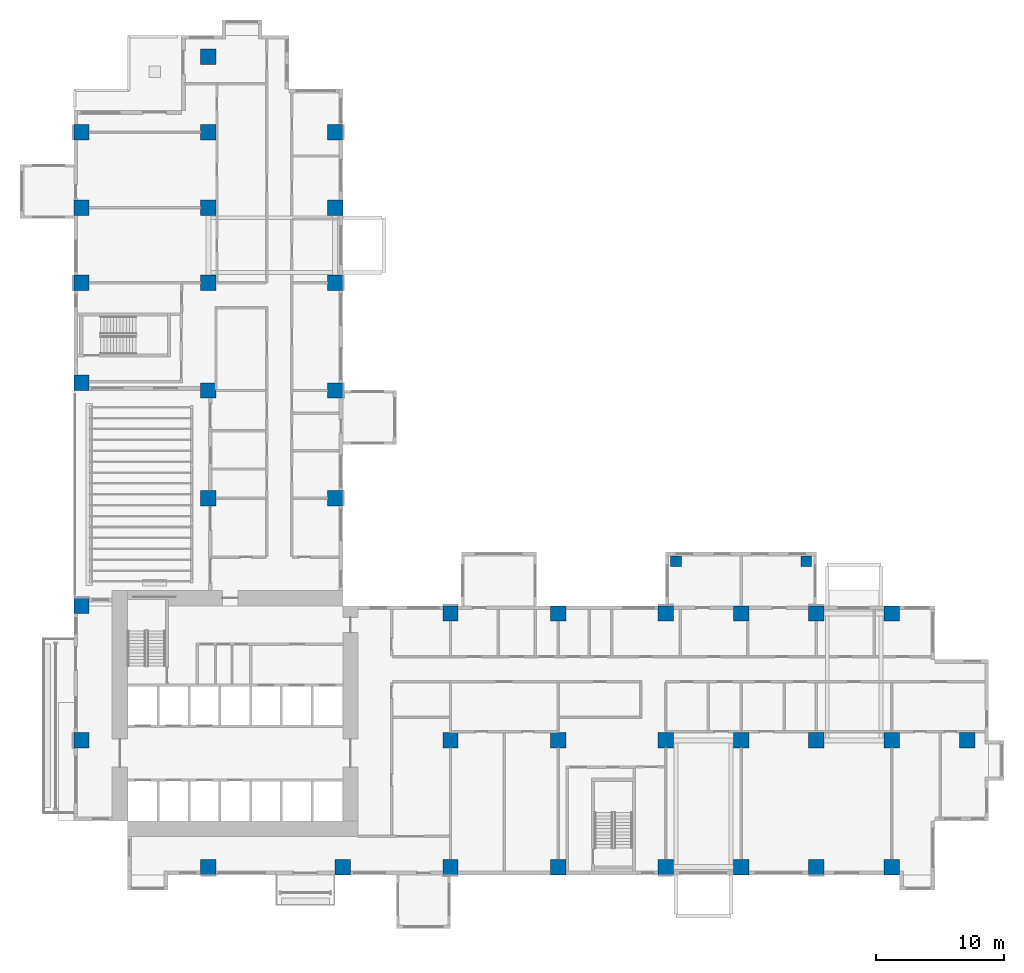
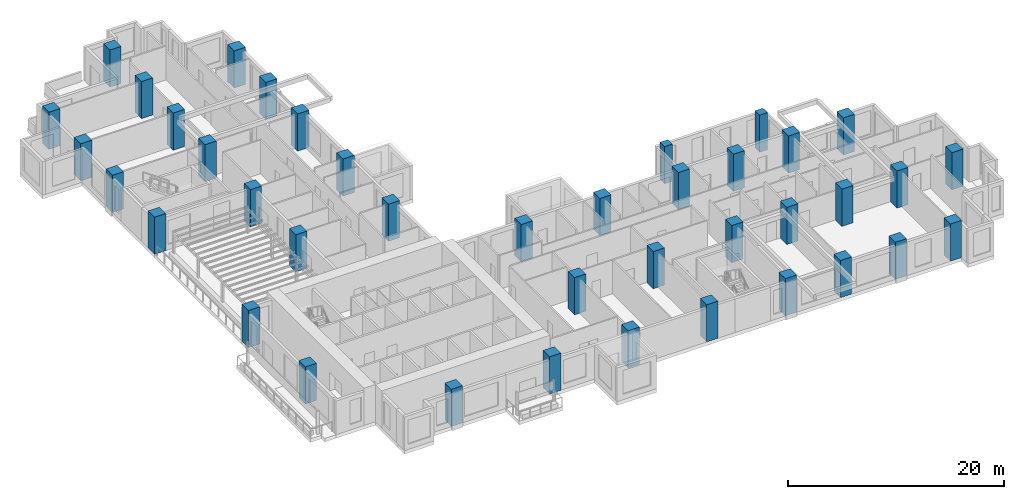
# One storey, part 1 of 17: 40 columns.
"""IFC4 building model written with IfcOpenShell, lengths in metres."""

from ifc_helpers import new_model, si_unit, direction, frame, origin, origin_2d, place, context, subcontext, project, spatial, rectangle, extrude, source, transform, mapped, material, material_profile, profile_set, type_object, element, save


model = new_model("IFC4")

# Units and contexts
model_context = context("Model", 3, precision=1e-05, world=origin(), true_north=direction((0.0, 1.0)))
body_context = subcontext(model_context, "Body", "Model", "MODEL_VIEW")
ifc_project = project(units=[si_unit("LENGTHUNIT", "METRE"), si_unit("AREAUNIT", "SQUARE_METRE"), si_unit("VOLUMEUNIT", "CUBIC_METRE"), si_unit("PLANEANGLEUNIT", "RADIAN"), si_unit("MASSUNIT", "GRAM", prefix="KILO")], contexts=[model_context])

# Site, building, storey
site_placement = place(None, origin())
site = spatial("IfcSite", under=ifc_project, at=site_placement, CompositionType="ELEMENT")
building_placement = place(site_placement, origin())
building = spatial("IfcBuilding", under=site, at=building_placement, Name="Aurelian Terraces", CompositionType="ELEMENT")
storey_placement = place(building_placement, frame((0.0, 0.0, 69.9)))
storey = spatial("IfcBuildingStorey", under=building, at=storey_placement, Name="L14", CompositionType="ELEMENT", Elevation=69.9)

# Columns
ifc_material_1 = material(Name="Concrete fc' 83 MPa", Category="concrete")
ifc_material_profile_1 = material_profile(ifc_material_1, rectangle(XDim=1.2, YDim=1.2, at=origin_2d()))
ifc_profile_set_1 = profile_set([ifc_material_profile_1], Name="Concrete fc' 83 MPa")
column_type_1 = type_object("IfcColumnType", Name="RC COLUMN 1200X1200 FC83", PredefinedType="COLUMN", material=ifc_profile_set_1)
shared_shape_1 = source(origin(), body_context, "Body", "SweptSolid", [
    extrude(rectangle(XDim=1.2, YDim=1.2, at=origin_2d()), origin(), (0.0, 0.0, 1.0), 4.2),
])
for number, where, z_axis, x_axis, name in (
    (1, (10.5, 0.6, 0.0), (0.0, 0.0, 1.0), (1.0, 0.0, 0.0), "Column 2/A L14"),
    (2, (21.0, 0.6, 0.0), (0.0, 0.0, 1.0), (1.0, 0.0, 0.0), "Column 3/A L14"),
    (3, (29.4, 0.6, 0.0), (0.0, 0.0, 1.0), (1.0, 0.0, 0.0), "Column 4/A L14"),
    (4, (37.8, 0.6, 0.0), (0.0, 0.0, 1.0), (1.0, 0.0, 0.0), "Column 5/A L14"),
    (5, (46.2, 0.6, 0.0), (0.0, 0.0, 1.0), (1.0, 0.0, 0.0), "Column 6/A L14"),
    (6, (52.08, 0.6, 0.0), (0.0, 0.0, 1.0), (1.0, 0.0, 0.0), "Column 7/A L14"),
    (7, (57.96, 0.6, 0.0), (0.0, 0.0, 1.0), (1.0, 0.0, 0.0), "Column 8/A L14"),
    (8, (63.84, 0.6, 0.0), (0.0, 0.0, 1.0), (1.0, 0.0, 0.0), "Column 9/A L14"),
    (9, (0.6, 10.5, 0.0), (0.0, 0.0, 1.0), (1.0, 0.0, 0.0), "Column 1/B L14"),
    (10, (29.4, 10.5, 0.0), (0.0, 0.0, 1.0), (1.0, 0.0, 0.0), "Column 4/B L14"),
    (11, (37.8, 10.5, 0.0), (0.0, 0.0, 1.0), (1.0, 0.0, 0.0), "Column 5/B L14"),
    (12, (46.2, 10.5, 0.0), (0.0, 0.0, 1.0), (1.0, 0.0, 0.0), "Column 6/B L14"),
    (13, (52.08, 10.5, 0.0), (0.0, 0.0, 1.0), (1.0, 0.0, 0.0), "Column 7/B L14"),
    (14, (57.96, 10.5, 0.0), (0.0, 0.0, 1.0), (1.0, 0.0, 0.0), "Column 8/B L14"),
    (15, (63.84, 10.5, 0.0), (0.0, 0.0, 1.0), (1.0, 0.0, 0.0), "Column 9/B L14"),
    (16, (69.72, 10.5, 0.0), (0.0, 0.0, 1.0), (1.0, 0.0, 0.0), "Column 10/B L14"),
    (17, (0.6, 21.0, 0.0), (0.0, 0.0, 1.0), (1.0, 0.0, 0.0), "Column 1/C L14"),
    (18, (29.4, 20.4, 0.0), (0.0, 0.0, 1.0), (1.0, 0.0, 0.0), "Column 4/C L14"),
    (19, (37.8, 20.4, 0.0), (0.0, 0.0, 1.0), (1.0, 0.0, 0.0), "Column 5/C L14"),
    (20, (46.2, 20.4, 0.0), (0.0, 0.0, 1.0), (1.0, 0.0, 0.0), "Column 6/C L14"),
    (21, (52.08, 20.4, 0.0), (0.0, 0.0, 1.0), (1.0, 0.0, 0.0), "Column 7/C L14"),
    (22, (57.96, 20.4, 0.0), (0.0, 0.0, 1.0), (1.0, 0.0, 0.0), "Column 8/C L14"),
    (23, (63.84, 20.4, 0.0), (0.0, 0.0, 1.0), (1.0, 0.0, 0.0), "Column 9/C L14"),
    (24, (10.5, 29.4, 0.0), (0.0, 0.0, 1.0), (1.0, 0.0, 0.0), "Column 2/D L14"),
    (25, (20.4, 29.4, 0.0), (0.0, 0.0, 1.0), (1.0, 0.0, 0.0), "Column 3/D L14"),
    (26, (0.6, 38.4, 0.0), (0.0, 0.0, 1.0), (1.0, 0.0, 0.0), "Column 1/E L14"),
    (27, (10.5, 37.8, 0.0), (0.0, 0.0, 1.0), (1.0, 0.0, 0.0), "Column 2/E L14"),
    (28, (20.4, 37.8, 0.0), (0.0, 0.0, 1.0), (1.0, 0.0, 0.0), "Column 3/E L14"),
    (29, (0.6, 46.2, 0.0), (0.0, 0.0, 1.0), (1.0, 0.0, 0.0), "Column 1/F L14"),
    (30, (10.5, 46.2, 0.0), (0.0, 0.0, 1.0), (1.0, 0.0, 0.0), "Column 2/F L14"),
    (31, (20.4, 46.2, 0.0), (0.0, 0.0, 1.0), (1.0, 0.0, 0.0), "Column 3/F L14"),
    (32, (0.6, 52.08, 0.0), (0.0, 0.0, 1.0), (1.0, 0.0, 0.0), "Column 1/G L14"),
    (33, (10.5, 52.08, 0.0), (0.0, 0.0, 1.0), (1.0, 0.0, 0.0), "Column 2/G L14"),
    (34, (20.4, 52.08, 0.0), (0.0, 0.0, 1.0), (1.0, 0.0, 0.0), "Column 3/G L14"),
    (35, (0.6, 57.96, 0.0), (0.0, 0.0, 1.0), (1.0, 0.0, 0.0), "Column 1/H L14"),
    (36, (10.5, 57.96, 0.0), (0.0, 0.0, 1.0), (1.0, 0.0, 0.0), "Column 2/H L14"),
    (37, (20.4, 57.96, 0.0), (0.0, 0.0, 1.0), (1.0, 0.0, 0.0), "Column 3/H L14"),
    (38, (10.5, 63.84, 0.0), (0.0, 0.0, 1.0), (1.0, 0.0, 0.0), "Column 2/I L14"),
):
    element("IfcColumn", number, at=place(storey_placement, frame(where, z_axis=z_axis, x_axis=x_axis)), inside=storey, type_object=column_type_1, Name=name, PredefinedType="COLUMN", context=body_context, shape_type="MappedRepresentation", body=[
        mapped(shared_shape_1, transform((0.0, 0.0, 0.0), scale=1.0)),
    ])
ifc_material_2 = material(Name="Concrete fc' 55 MPa", Category="concrete")
ifc_material_profile_2 = material_profile(ifc_material_2, rectangle(XDim=0.84, YDim=0.84, at=origin_2d()))
ifc_profile_set_2 = profile_set([ifc_material_profile_2], Name="Concrete fc' 55 MPa")
column_type_2 = type_object("IfcColumnType", Name="BLOCK CORNER PIER 840X840", PredefinedType="COLUMN", material=ifc_profile_set_2)
shared_shape_2 = source(origin(), body_context, "Body", "SweptSolid", [
    extrude(rectangle(XDim=0.84, YDim=0.84, at=origin_2d()), origin(), (0.0, 0.0, 1.0), 4.2),
])
for number, where, z_axis, x_axis, name in (
    (39, (47.0, 24.48, 0.0), (0.0, 0.0, 1.0), (1.0, 0.0, 0.0), "Block pier K01.1 L14"),
    (40, (57.16, 24.48, 0.0), (0.0, 0.0, 1.0), (1.0, 0.0, 0.0), "Block pier K01.2 L14"),
):
    element("IfcColumn", number, at=place(storey_placement, frame(where, z_axis=z_axis, x_axis=x_axis)), inside=storey, type_object=column_type_2, Name=name, PredefinedType="COLUMN", context=body_context, shape_type="MappedRepresentation", body=[
        mapped(shared_shape_2, transform((0.0, 0.0, 0.0), scale=1.0)),
    ])

save(model, "model.ifc")
